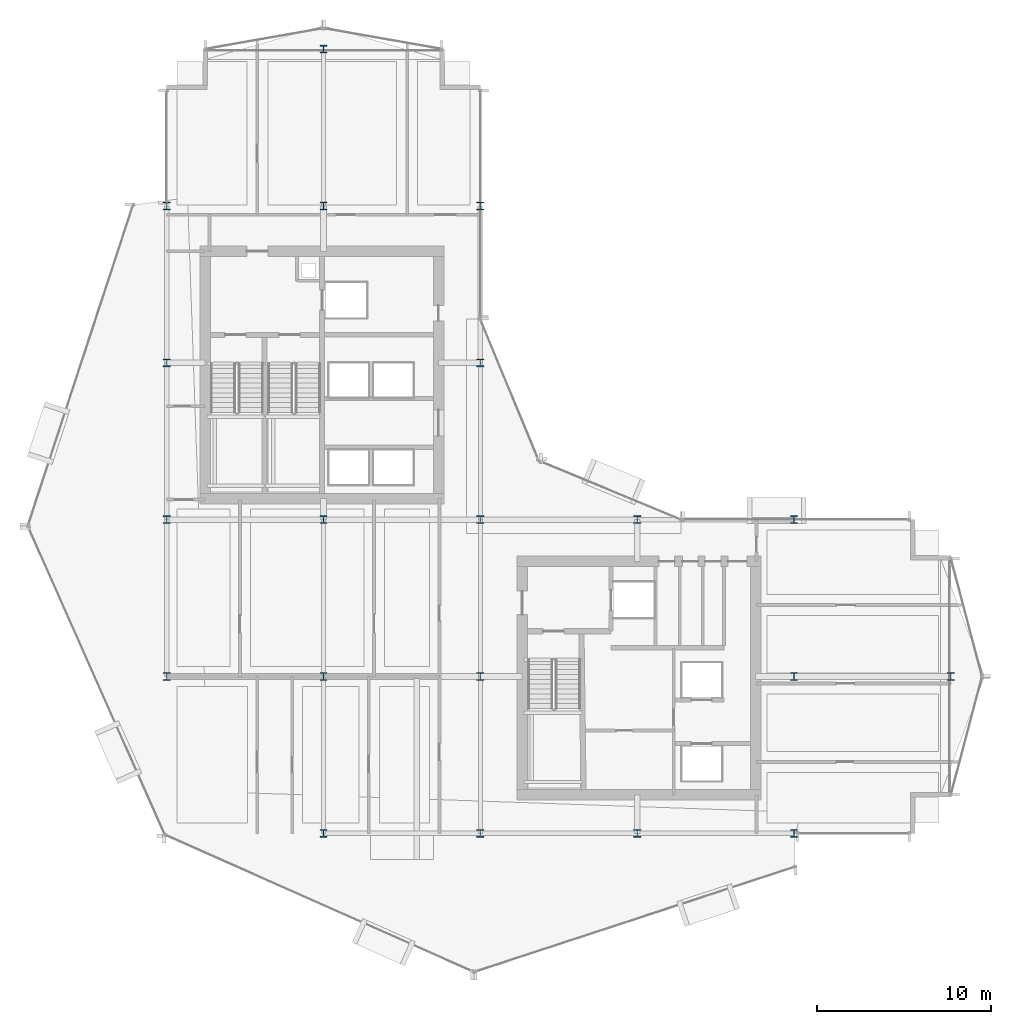
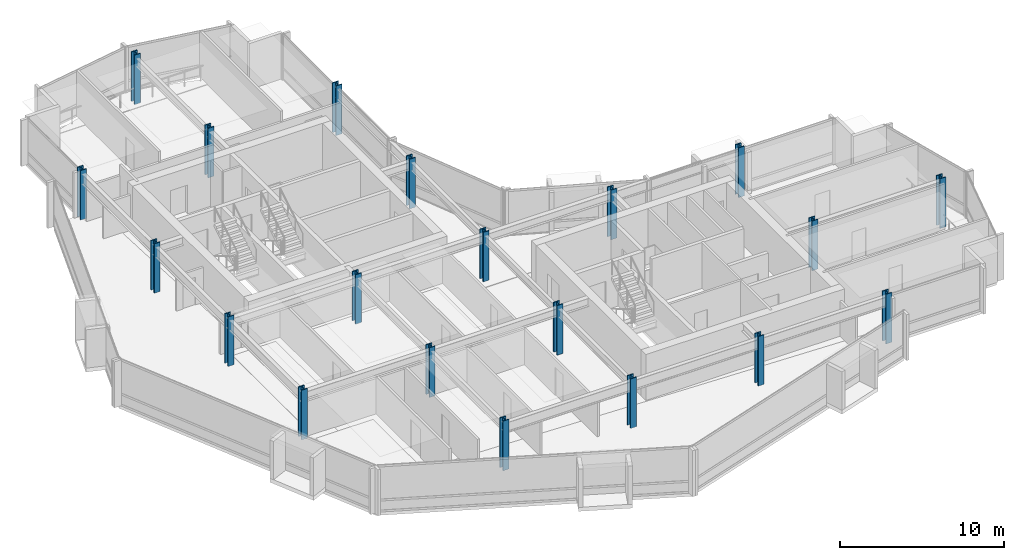
# One storey, part 1 of 29: 20 columns.
"""IFC4 building model written with IfcOpenShell, lengths in metres."""

from ifc_helpers import new_model, si_unit, direction, frame, origin, origin_2d, place, context, subcontext, project, spatial, i_section, extrude, material, material_profile, profile_set, type_object, element, save


model = new_model("IFC4")

# Units and contexts
model_context = context("Model", 3, precision=1e-05, world=origin(), true_north=direction((0.0, 1.0)))
body_context = subcontext(model_context, "Body", "Model", "MODEL_VIEW")
ifc_project = project(units=[si_unit("LENGTHUNIT", "METRE"), si_unit("AREAUNIT", "SQUARE_METRE"), si_unit("VOLUMEUNIT", "CUBIC_METRE"), si_unit("PLANEANGLEUNIT", "RADIAN"), si_unit("MASSUNIT", "GRAM", prefix="KILO")], contexts=[model_context])

# Site, building, storey
site_placement = place(None, origin())
site = spatial("IfcSite", under=ifc_project, at=site_placement, CompositionType="ELEMENT")
building_placement = place(site_placement, origin())
building = spatial("IfcBuilding", under=site, at=building_placement, Name="Solvaryn Broadcast Tower", CompositionType="ELEMENT")
storey_placement = place(building_placement, frame((0.0, 0.0, 117.39990234375)))
storey = spatial("IfcBuildingStorey", under=building, at=storey_placement, Name="L28", CompositionType="ELEMENT", Elevation=117.39990234375)

# Columns
ifc_material_1 = material(Name="Steel ASTM A913 Grade 65", Category="steel")
ifc_material_profile_1 = material_profile(ifc_material_1, i_section(OverallWidth=0.41796875, OverallDepth=0.455078125, WebThickness=0.0419921875, FlangeThickness=0.067626953125, FilletRadius=0.014892578125, at=origin_2d()))
ifc_profile_set_1 = profile_set([ifc_material_profile_1], Name="Steel ASTM A913 Grade 65")
column_type_1 = type_object("IfcColumnType", Name="COL-C05E-W14X370", PredefinedType="COLUMN", material=ifc_profile_set_1)
for number, where, z_axis, x_axis, name in (
    (1, (9.0, 18.0, 0.0), (0.0, 0.0, 1.0), (1.0, 0.0, 0.0), "L28 Column (9.0, 18.0)"),
    (2, (9.0, 27.0, 0.0), (0.0, 0.0, 1.0), (1.0, 0.0, 0.0), "L28 Column (9.0, 27.0)"),
    (3, (9.0, 36.0, 0.0), (0.0, 0.0, 1.0), (1.0, 0.0, 0.0), "L28 Column (9.0, 36.0)"),
    (4, (9.0, 45.0, 0.0), (0.0, 0.0, 1.0), (1.0, 0.0, 0.0), "L28 Column (9.0, 45.0)"),
    (5, (18.0, 9.0, 0.0), (0.0, 0.0, 1.0), (1.0, 0.0, 0.0), "L28 Column (18.0, 9.0)"),
    (6, (18.0, 54.0, 0.0), (0.0, 0.0, 1.0), (1.0, 0.0, 0.0), "L28 Column (18.0, 54.0)"),
    (7, (27.0, 9.0, 0.0), (0.0, 0.0, 1.0), (1.0, 0.0, 0.0), "L28 Column (27.0, 9.0)"),
    (8, (27.0, 36.0, 0.0), (0.0, 0.0, 1.0), (1.0, 0.0, 0.0), "L28 Column (27.0, 36.0)"),
    (9, (27.0, 45.0, 0.0), (0.0, 0.0, 1.0), (1.0, 0.0, 0.0), "L28 Column (27.0, 45.0)"),
    (10, (36.0, 9.0, 0.0), (0.0, 0.0, 1.0), (1.0, 0.0, 0.0), "L28 Column (36.0, 9.0)"),
    (11, (36.0, 27.0, 0.0), (0.0, 0.0, 1.0), (1.0, 0.0, 0.0), "L28 Column (36.0, 27.0)"),
    (12, (45.0, 9.0, 0.0), (0.0, 0.0, 1.0), (1.0, 0.0, 0.0), "L28 Column (45.0, 9.0)"),
    (13, (45.0, 27.0, 0.0), (0.0, 0.0, 1.0), (1.0, 0.0, 0.0), "L28 Column (45.0, 27.0)"),
    (14, (54.0, 18.0, 0.0), (0.0, 0.0, 1.0), (1.0, 0.0, 0.0), "L28 Column (54.0, 18.0)"),
):
    element("IfcColumn", number, at=place(storey_placement, frame(where, z_axis=z_axis, x_axis=x_axis)), inside=storey, type_object=column_type_1, Name=name, PredefinedType="COLUMN", context=body_context, shape_type="SweptSolid", body=[
        extrude(i_section(OverallWidth=0.41796875, OverallDepth=0.455078125, WebThickness=0.0419921875, FlangeThickness=0.067626953125, FilletRadius=0.014892578125, at=origin_2d()), origin(), (0.0, 0.0, 1.0), 3.7001953125),
    ])
ifc_material_2 = material(Name="Steel ASTM A913 Grade 65", Category="steel")
ifc_material_profile_2 = material_profile(ifc_material_2, i_section(OverallWidth=0.41796875, OverallDepth=0.455078125, WebThickness=0.0419921875, FlangeThickness=0.067626953125, FilletRadius=0.014892578125, at=origin_2d()))
ifc_profile_set_2 = profile_set([ifc_material_profile_2], Name="Steel ASTM A913 Grade 65")
column_type_2 = type_object("IfcColumnType", Name="COL-C05I-W14X370", PredefinedType="COLUMN", material=ifc_profile_set_2)
for number, where, z_axis, x_axis, name in (
    (15, (18.0, 18.0, 0.0), (0.0, 0.0, 1.0), (1.0, 0.0, 0.0), "L28 Column (18.0, 18.0)"),
    (16, (18.0, 27.0, 0.0), (0.0, 0.0, 1.0), (1.0, 0.0, 0.0), "L28 Column (18.0, 27.0)"),
    (17, (18.0, 45.0, 0.0), (0.0, 0.0, 1.0), (1.0, 0.0, 0.0), "L28 Column (18.0, 45.0)"),
    (18, (27.0, 18.0, 0.0), (0.0, 0.0, 1.0), (1.0, 0.0, 0.0), "L28 Column (27.0, 18.0)"),
    (19, (27.0, 27.0, 0.0), (0.0, 0.0, 1.0), (1.0, 0.0, 0.0), "L28 Column (27.0, 27.0)"),
    (20, (45.0, 18.0, 0.0), (0.0, 0.0, 1.0), (1.0, 0.0, 0.0), "L28 Column (45.0, 18.0)"),
):
    element("IfcColumn", number, at=place(storey_placement, frame(where, z_axis=z_axis, x_axis=x_axis)), inside=storey, type_object=column_type_2, Name=name, PredefinedType="COLUMN", context=body_context, shape_type="SweptSolid", body=[
        extrude(i_section(OverallWidth=0.41796875, OverallDepth=0.455078125, WebThickness=0.0419921875, FlangeThickness=0.067626953125, FilletRadius=0.014892578125, at=origin_2d()), origin(), (0.0, 0.0, 1.0), 3.7001953125),
    ])

save(model, "model.ifc")
